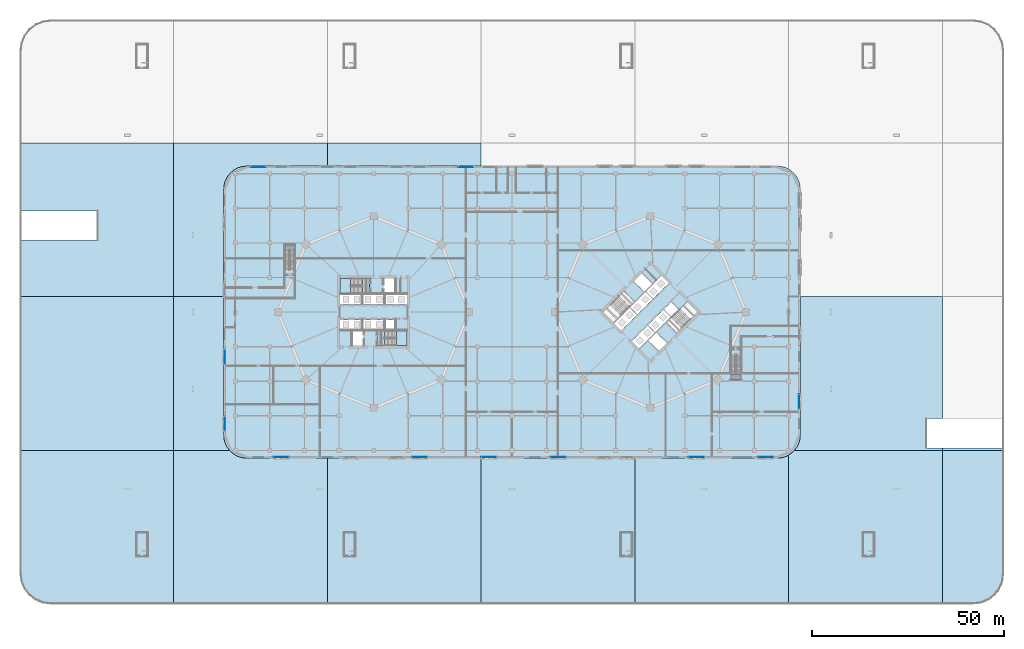
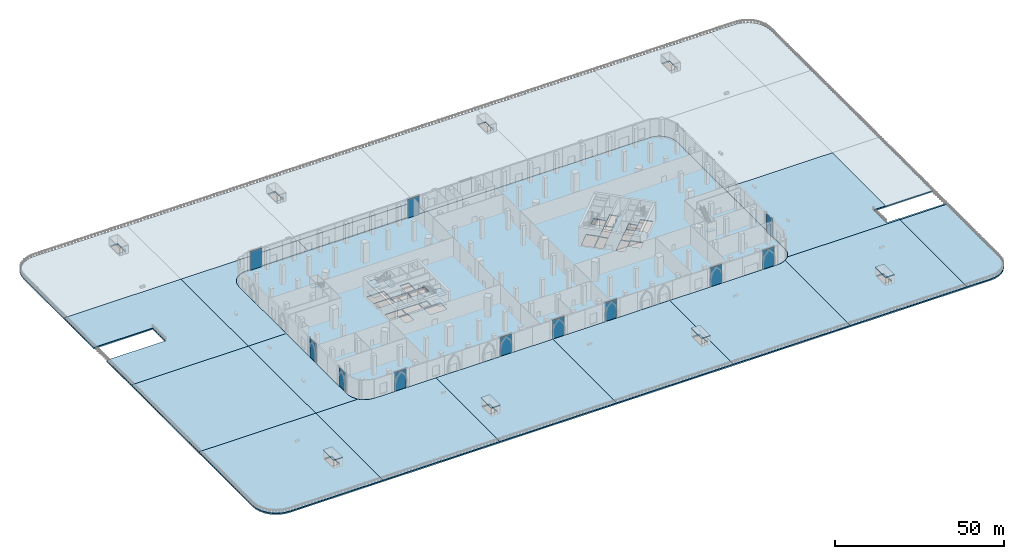
# One storey, part 20 of 48: 27 slabs, 11 plates, 15 elements without a shape of their own.
"""IFC4 building model written with IfcOpenShell, lengths in metres."""

from ifc_helpers import new_model, si_unit, direction, frame, origin, origin_2d, place, context, subcontext, project, spatial, polyline, rectangle, outline, extrude, material, layer, layer_set, type_object, element, aggregate, save


model = new_model("IFC4")

# Units and contexts
model_context = context("Model", 3, precision=1e-05, world=origin(), true_north=direction((0.0, 1.0)))
body_context = subcontext(model_context, "Body", "Model", "MODEL_VIEW")
ifc_project = project(units=[si_unit("LENGTHUNIT", "METRE"), si_unit("AREAUNIT", "SQUARE_METRE"), si_unit("VOLUMEUNIT", "CUBIC_METRE"), si_unit("PLANEANGLEUNIT", "RADIAN"), si_unit("MASSUNIT", "GRAM", prefix="KILO")], contexts=[model_context])

# Site, building, storey
site_placement = place(None, origin())
site = spatial("IfcSite", under=ifc_project, at=site_placement, CompositionType="ELEMENT")
building_placement = place(site_placement, origin())
building = spatial("IfcBuilding", under=site, at=building_placement, Name="Ogive Gate Towers", CompositionType="ELEMENT")
storey_placement = place(building_placement, origin())
storey = spatial("IfcBuildingStorey", under=building, at=storey_placement, Name="L00", CompositionType="ELEMENT", Elevation=0.0)

# Slabs
ifc_material_1 = material(Name="Concrete C35/45", Category="concrete")
ifc_layer_1 = layer(ifc_material_1, 0.300048828125)
ifc_layer_set_1 = layer_set([ifc_layer_1], Name="Floor slab 300")
slab_type_1 = type_object("IfcSlabType", Name="Floor slab 300", PredefinedType="FLOOR", material=ifc_layer_set_1)
slab_1_placement = place(storey_placement, frame((0.0, 0.0, -0.300048828125)))
element("IfcSlab", 1, at=slab_1_placement, inside=storey, type_object=slab_type_1, Name="PD/L00/SSL001", PredefinedType="FLOOR", context=body_context, shape_type="SweptSolid", body=[
    extrude(outline(polyline([(74.543212890625, -34.296142578125), (74.884765625, -33.170654296875), (75.0, -32.0), (75.0, 32.0), (74.884765625, 33.170654296875), (74.543212890625, 34.296142578125), (73.98876953125, 35.33349609375), (73.24267578125, 36.24267578125), (72.33349609375, 36.98876953125), (71.296142578125, 37.543212890625), (70.170654296875, 37.884765625), (69.0, 38.0), (-69.0, 38.0), (-70.170654296875, 37.884765625), (-71.296142578125, 37.543212890625), (-72.33349609375, 36.98876953125), (-73.24267578125, 36.24267578125), (-73.98876953125, 35.33349609375), (-74.543212890625, 34.296142578125), (-74.884765625, 33.170654296875), (-75.0, 32.0), (-75.0, -32.0), (-74.884765625, -33.170654296875), (-74.543212890625, -34.296142578125), (-73.98876953125, -35.33349609375), (-73.24267578125, -36.24267578125), (-72.33349609375, -36.98876953125), (-71.296142578125, -37.543212890625), (-70.170654296875, -37.884765625), (-69.0, -38.0), (69.0, -38.0), (70.170654296875, -37.884765625), (71.296142578125, -37.543212890625), (72.33349609375, -36.98876953125), (73.24267578125, -36.24267578125), (73.98876953125, -35.33349609375), (74.543212890625, -34.296142578125)]), holes=[polyline([(-39.02490234375, 2.0), (-44.699951171875, 2.0), (-44.699951171875, 4.625), (-39.02490234375, 4.625), (-39.02490234375, 2.0)]), polyline([(-38.77490234375, 4.625), (-33.22509765625, 4.625), (-33.22509765625, 2.0), (-38.77490234375, 2.0), (-38.77490234375, 4.625)]), polyline([(-27.300048828125, 2.0), (-32.97509765625, 2.0), (-32.97509765625, 4.625), (-27.300048828125, 4.625), (-27.300048828125, 2.0)]), polyline([(-44.699951171875, -2.0), (-39.02490234375, -2.0), (-39.02490234375, -4.625), (-44.699951171875, -4.625), (-44.699951171875, -2.0)]), polyline([(-33.22509765625, -4.625), (-38.77490234375, -4.625), (-38.77490234375, -2.0), (-33.22509765625, -2.0), (-33.22509765625, -4.625)]), polyline([(-32.97509765625, -2.0), (-30.324951171875, -2.0), (-30.324951171875, -4.625), (-32.97509765625, -4.625), (-32.97509765625, -2.0)]), polyline([(-30.425048828125, 4.875), (-33.375, 4.875), (-33.375, 8.699951171875), (-30.425048828125, 8.699951171875), (-30.425048828125, 4.875)]), polyline([(-41.574951171875, -4.875), (-38.625, -4.875), (-38.625, -8.699951171875), (-41.574951171875, -8.699951171875), (-41.574951171875, -4.875)]), polyline([(-44.699951171875, 8.699951171875), (-38.885009765625, 8.699951171875), (-38.885009765625, 4.875), (-44.699951171875, 4.875), (-44.699951171875, 8.699951171875)]), polyline([(-33.114990234375, -4.875), (-27.300048828125, -4.875), (-27.300048828125, -8.699951171875), (-33.114990234375, -8.699951171875), (-33.114990234375, -4.875)]), polyline([(26.577880859375, -2.88134765625), (30.590576171875, 1.13134765625), (32.44677734375, -0.724853515625), (28.433837890625, -4.737548828125), (26.577880859375, -2.88134765625)]), polyline([(36.548095703125, 3.37646484375), (32.62353515625, -0.548095703125), (30.767333984375, 1.30810546875), (34.69189453125, 5.232666015625), (36.548095703125, 3.37646484375)]), polyline([(34.86865234375, 5.409423828125), (38.88134765625, 9.422119140625), (40.737548828125, 7.566162109375), (36.724853515625, 3.55322265625), (34.86865234375, 5.409423828125)]), polyline([(37.13134765625, -5.409423828125), (33.11865234375, -9.422119140625), (31.262451171875, -7.566162109375), (35.275146484375, -3.55322265625), (37.13134765625, -5.409423828125)]), polyline([(35.451904296875, -3.37646484375), (39.37646484375, 0.548095703125), (41.232666015625, -1.30810546875), (37.30810546875, -5.232666015625), (35.451904296875, -3.37646484375)]), polyline([(43.283203125, 0.742431640625), (41.409423828125, -1.13134765625), (39.55322265625, 0.724853515625), (41.427001953125, 2.5986328125), (43.283203125, 0.742431640625)]), polyline([(31.704345703125, 8.008056640625), (33.790283203125, 10.093994140625), (36.494873046875, 7.38916015625), (34.408935546875, 5.30322265625), (31.704345703125, 8.008056640625)]), polyline([(40.295654296875, -8.008056640625), (38.209716796875, -10.093994140625), (35.505126953125, -7.38916015625), (37.591064453125, -5.30322265625), (40.295654296875, -8.008056640625)]), polyline([(30.512939453125, 1.4072265625), (26.401123046875, -2.70458984375), (23.6962890625, 0.0), (27.80810546875, 4.11181640625), (30.512939453125, 1.4072265625)]), polyline([(48.3037109375, 0.0), (44.19189453125, -4.11181640625), (41.487060546875, -1.4072265625), (45.598876953125, 2.70458984375), (48.3037109375, 0.0)])]), origin(), (0.0, 0.0, 1.0), 0.300048828125),
])
ifc_layer_2 = layer(ifc_material_1, 0.449951171875)
ifc_layer_set_2 = layer_set([ifc_layer_2], Name="Garden deck slab 450")
slab_type_2 = type_object("IfcSlabType", Name="Garden deck slab 450", PredefinedType="FLOOR", material=ifc_layer_set_2)
slab_2_placement = place(storey_placement, frame((0.0, 0.0, -0.449951171875)))
element("IfcSlab", 2, at=slab_2_placement, inside=storey, type_object=slab_type_2, Name="BS/L00/SSL001", PredefinedType="FLOOR", context=body_context, shape_type="SweptSolid", body=[
    extrude(outline(polyline([(-107.875, 18.699951171875), (-128.0, 18.699951171875), (-128.0, -68.0), (-127.84619140625, -69.560791015625), (-127.39111328125, -71.0615234375), (-126.65185546875, -72.444580078125), (-125.65673828125, -73.65673828125), (-124.444580078125, -74.65185546875), (-123.0615234375, -75.39111328125), (-121.560791015625, -75.84619140625), (-120.0, -76.0), (120.0, -76.0), (121.560791015625, -75.84619140625), (123.0615234375, -75.39111328125), (124.444580078125, -74.65185546875), (125.65673828125, -73.65673828125), (126.65185546875, -72.444580078125), (127.39111328125, -71.0615234375), (127.84619140625, -69.560791015625), (128.0, -68.0), (128.0, -35.300048828125), (107.875, -35.300048828125), (107.875, -27.699951171875), (128.0, -27.699951171875), (128.0, 68.0), (127.84619140625, 69.560791015625), (127.39111328125, 71.0615234375), (126.65185546875, 72.444580078125), (125.65673828125, 73.65673828125), (124.444580078125, 74.65185546875), (123.0615234375, 75.39111328125), (121.560791015625, 75.84619140625), (120.0, 76.0), (-120.0, 76.0), (-121.560791015625, 75.84619140625), (-123.0615234375, 75.39111328125), (-124.444580078125, 74.65185546875), (-125.65673828125, 73.65673828125), (-126.65185546875, 72.444580078125), (-127.39111328125, 71.0615234375), (-127.84619140625, 69.560791015625), (-128.0, 68.0), (-128.0, 26.300048828125), (-107.875, 26.300048828125), (-107.875, 18.699951171875)]), holes=[polyline([(74.543212890625, 34.296142578125), (74.884765625, 33.170654296875), (75.0, 32.0), (75.0, -32.0), (74.884765625, -33.170654296875), (74.543212890625, -34.296142578125), (73.98876953125, -35.33349609375), (73.24267578125, -36.24267578125), (72.33349609375, -36.98876953125), (71.296142578125, -37.543212890625), (70.170654296875, -37.884765625), (69.0, -38.0), (-69.0, -38.0), (-70.170654296875, -37.884765625), (-71.296142578125, -37.543212890625), (-72.33349609375, -36.98876953125), (-73.24267578125, -36.24267578125), (-73.98876953125, -35.33349609375), (-74.543212890625, -34.296142578125), (-74.884765625, -33.170654296875), (-75.0, -32.0), (-75.0, 32.0), (-74.884765625, 33.170654296875), (-74.543212890625, 34.296142578125), (-73.98876953125, 35.33349609375), (-73.24267578125, 36.24267578125), (-72.33349609375, 36.98876953125), (-71.296142578125, 37.543212890625), (-70.170654296875, 37.884765625), (-69.0, 38.0), (69.0, 38.0), (70.170654296875, 37.884765625), (71.296142578125, 37.543212890625), (72.33349609375, 36.98876953125), (73.24267578125, 36.24267578125), (73.98876953125, 35.33349609375), (74.543212890625, 34.296142578125)]), polyline([(-94.949951171875, 64.89990234375), (-97.5, 64.89990234375), (-97.5, 69.4599609375), (-94.949951171875, 69.4599609375), (-94.949951171875, 64.89990234375)]), polyline([(-43.5, 64.89990234375), (-43.5, 69.4599609375), (-40.949951171875, 69.4599609375), (-40.949951171875, 64.89990234375), (-43.5, 64.89990234375)]), polyline([(28.5, 69.4599609375), (31.050048828125, 69.4599609375), (31.050048828125, 64.89990234375), (28.5, 64.89990234375), (28.5, 69.4599609375)]), polyline([(94.050048828125, 69.4599609375), (94.050048828125, 64.89990234375), (91.5, 64.89990234375), (91.5, 69.4599609375), (94.050048828125, 69.4599609375)]), polyline([(-94.949951171875, -62.10009765625), (-97.5, -62.10009765625), (-97.5, -57.5400390625), (-94.949951171875, -57.5400390625), (-94.949951171875, -62.10009765625)]), polyline([(-43.5, -62.10009765625), (-43.5, -57.5400390625), (-40.949951171875, -57.5400390625), (-40.949951171875, -62.10009765625), (-43.5, -62.10009765625)]), polyline([(28.5, -57.5400390625), (31.050048828125, -57.5400390625), (31.050048828125, -62.10009765625), (28.5, -62.10009765625), (28.5, -57.5400390625)]), polyline([(94.050048828125, -57.5400390625), (94.050048828125, -62.10009765625), (91.5, -62.10009765625), (91.5, -57.5400390625), (94.050048828125, -57.5400390625)])]), origin(), (0.0, 0.0, 1.0), 0.449951171875),
])
ifc_material_2 = material(Name="Grey granite paving", Category="masonry")
ifc_layer_3 = layer(ifc_material_2, 0.14990234375)
ifc_layer_set_3 = layer_set([ifc_layer_3], Name="Garden paving")
slab_type_3 = type_object("IfcSlabType", Name="Garden paving", PredefinedType="USERDEFINED", material=ifc_layer_set_3)
slab_3_placement = place(storey_placement, origin())
element("IfcSlab", 3, at=slab_3_placement, inside=storey, type_object=slab_type_3, Name="Garden paving", ObjectType="PAVING", PredefinedType="USERDEFINED", context=body_context, shape_type="SweptSolid", body=[
    extrude(outline(polyline([(-120.0, -76.0), (-121.560791015625, -75.84619140625), (-123.0615234375, -75.39111328125), (-124.444580078125, -74.65185546875), (-125.656982421875, -73.656982421875), (-126.65185546875, -72.444580078125), (-127.39111328125, -71.0615234375), (-127.84619140625, -69.560791015625), (-128.0, -68.0), (-128.0, -36.0), (-88.0, -36.0), (-88.0, -76.0), (-120.0, -76.0)]), holes=[polyline([(-94.949951171875, -57.5400390625), (-97.5, -57.5400390625), (-97.5, -62.10009765625), (-94.949951171875, -62.10009765625), (-94.949951171875, -57.5400390625)])]), origin(), (0.0, 0.0, 1.0), 0.1201171875),
])
slab_4_placement = place(storey_placement, origin())
element("IfcSlab", 4, at=slab_4_placement, inside=storey, type_object=slab_type_3, Name="Garden paving", ObjectType="PAVING", PredefinedType="USERDEFINED", context=body_context, shape_type="SweptSolid", body=[
    extrude(outline(polyline([(-128.0, 4.0), (-88.0, 4.0), (-88.0, -36.0), (-128.0, -36.0), (-128.0, 4.0)])), origin(), (0.0, 0.0, 1.0), 0.1201171875),
])
slab_5_placement = place(storey_placement, origin())
element("IfcSlab", 5, at=slab_5_placement, inside=storey, type_object=slab_type_3, Name="Garden paving", ObjectType="PAVING", PredefinedType="USERDEFINED", context=body_context, shape_type="SweptSolid", body=[
    extrude(outline(polyline([(-107.875, 26.300048828125), (-128.0, 26.300048828125), (-128.0, 44.0), (-88.0, 44.0), (-88.0, 4.0), (-128.0, 4.0), (-128.0, 18.699951171875), (-107.875, 18.699951171875), (-107.875, 26.300048828125)])), origin(), (0.0, 0.0, 1.0), 0.1201171875),
])
slab_6_placement = place(storey_placement, origin())
element("IfcSlab", 6, at=slab_6_placement, inside=storey, type_object=slab_type_3, Name="Garden paving", ObjectType="PAVING", PredefinedType="USERDEFINED", context=body_context, shape_type="SweptSolid", body=[
    extrude(outline(polyline([(-88.0, -76.0), (-88.0, -36.0), (-73.44189453125, -36.0), (-73.24267578125, -36.24267578125), (-72.33349609375, -36.98876953125), (-71.296142578125, -37.543212890625), (-70.17041015625, -37.884765625), (-69.0, -38.0), (-48.0, -38.0), (-48.0, -76.0), (-88.0, -76.0)])), origin(), (0.0, 0.0, 1.0), 0.1201171875),
])
slab_7_placement = place(storey_placement, origin())
element("IfcSlab", 7, at=slab_7_placement, inside=storey, type_object=slab_type_3, Name="Garden paving", ObjectType="PAVING", PredefinedType="USERDEFINED", context=body_context, shape_type="SweptSolid", body=[
    extrude(outline(polyline([(-75.0, -32.0), (-74.884765625, -33.17041015625), (-74.543212890625, -34.296142578125), (-73.98876953125, -35.33349609375), (-73.44189453125, -36.0), (-88.0, -36.0), (-88.0, 4.0), (-75.0, 4.0), (-75.0, -32.0)])), origin(), (0.0, 0.0, 1.0), 0.1201171875),
])
slab_8_placement = place(storey_placement, origin())
element("IfcSlab", 8, at=slab_8_placement, inside=storey, type_object=slab_type_3, Name="Garden paving", ObjectType="PAVING", PredefinedType="USERDEFINED", context=body_context, shape_type="SweptSolid", body=[
    extrude(outline(polyline([(-69.0, 38.0), (-70.17041015625, 37.884765625), (-71.296142578125, 37.543212890625), (-72.33349609375, 36.98876953125), (-73.24267578125, 36.24267578125), (-73.98876953125, 35.33349609375), (-74.543212890625, 34.296142578125), (-74.884765625, 33.17041015625), (-75.0, 32.0), (-75.0, 4.0), (-88.0, 4.0), (-88.0, 44.0), (-48.0, 44.0), (-48.0, 38.0), (-69.0, 38.0)])), origin(), (0.0, 0.0, 1.0), 0.1201171875),
])
slab_9_placement = place(storey_placement, origin())
element("IfcSlab", 9, at=slab_9_placement, inside=storey, type_object=slab_type_3, Name="Garden paving", ObjectType="PAVING", PredefinedType="USERDEFINED", context=body_context, shape_type="SweptSolid", body=[
    extrude(outline(polyline([(-48.0, -76.0), (-48.0, -38.0), (-8.0, -38.0), (-8.0, -76.0), (-48.0, -76.0)]), holes=[polyline([(-40.949951171875, -62.10009765625), (-40.949951171875, -57.5400390625), (-43.5, -57.5400390625), (-43.5, -62.10009765625), (-40.949951171875, -62.10009765625)])]), origin(), (0.0, 0.0, 1.0), 0.1201171875),
])
slab_10_placement = place(storey_placement, origin())
element("IfcSlab", 10, at=slab_10_placement, inside=storey, type_object=slab_type_3, Name="Garden paving", ObjectType="PAVING", PredefinedType="USERDEFINED", context=body_context, shape_type="SweptSolid", body=[
    extrude(outline(polyline([(-48.0, 38.0), (-48.0, 44.0), (-8.0, 44.0), (-8.0, 38.0), (-48.0, 38.0)])), origin(), (0.0, 0.0, 1.0), 0.1201171875),
])
slab_11_placement = place(storey_placement, origin())
element("IfcSlab", 11, at=slab_11_placement, inside=storey, type_object=slab_type_3, Name="Garden paving", ObjectType="PAVING", PredefinedType="USERDEFINED", context=body_context, shape_type="SweptSolid", body=[
    extrude(outline(polyline([(-8.0, -76.0), (-8.0, -38.0), (32.0, -38.0), (32.0, -76.0), (-8.0, -76.0)]), holes=[polyline([(28.5, -62.10009765625), (31.050048828125, -62.10009765625), (31.050048828125, -57.5400390625), (28.5, -57.5400390625), (28.5, -62.10009765625)])]), origin(), (0.0, 0.0, 1.0), 0.1201171875),
])
slab_12_placement = place(storey_placement, origin())
element("IfcSlab", 12, at=slab_12_placement, inside=storey, type_object=slab_type_3, Name="Garden paving", ObjectType="PAVING", PredefinedType="USERDEFINED", context=body_context, shape_type="SweptSolid", body=[
    extrude(outline(polyline([(32.0, -76.0), (32.0, -38.0), (69.0, -38.0), (70.17041015625, -37.884765625), (71.296142578125, -37.543212890625), (72.0, -37.1669921875), (72.0, -76.0), (32.0, -76.0)])), origin(), (0.0, 0.0, 1.0), 0.1201171875),
])
slab_13_placement = place(storey_placement, origin())
element("IfcSlab", 13, at=slab_13_placement, inside=storey, type_object=slab_type_3, Name="Garden paving", ObjectType="PAVING", PredefinedType="USERDEFINED", context=body_context, shape_type="SweptSolid", body=[
    extrude(outline(polyline([(72.0, -76.0), (72.0, -37.1669921875), (72.33349609375, -36.98876953125), (73.24267578125, -36.24267578125), (73.44189453125, -36.0), (112.0, -36.0), (112.0, -76.0), (72.0, -76.0)]), holes=[polyline([(91.5, -57.5400390625), (91.5, -62.10009765625), (94.050048828125, -62.10009765625), (94.050048828125, -57.5400390625), (91.5, -57.5400390625)])]), origin(), (0.0, 0.0, 1.0), 0.1201171875),
])
slab_14_placement = place(storey_placement, origin())
element("IfcSlab", 14, at=slab_14_placement, inside=storey, type_object=slab_type_3, Name="Garden paving", ObjectType="PAVING", PredefinedType="USERDEFINED", context=body_context, shape_type="SweptSolid", body=[
    extrude(outline(polyline([(107.875, -27.699951171875), (107.875, -35.300048828125), (112.0, -35.300048828125), (112.0, -36.0), (73.44189453125, -36.0), (73.98876953125, -35.33349609375), (74.543212890625, -34.296142578125), (74.884765625, -33.17041015625), (75.0, -32.0), (75.0, 4.0), (112.0, 4.0), (112.0, -27.699951171875), (107.875, -27.699951171875)])), origin(), (0.0, 0.0, 1.0), 0.1201171875),
])
slab_15_placement = place(storey_placement, origin())
element("IfcSlab", 15, at=slab_15_placement, inside=storey, type_object=slab_type_3, Name="Garden paving", ObjectType="PAVING", PredefinedType="USERDEFINED", context=body_context, shape_type="SweptSolid", body=[
    extrude(outline(polyline([(128.0, -68.0), (127.84619140625, -69.560791015625), (127.39111328125, -71.0615234375), (126.65185546875, -72.444580078125), (125.656982421875, -73.656982421875), (124.444580078125, -74.65185546875), (123.0615234375, -75.39111328125), (121.560791015625, -75.84619140625), (120.0, -76.0), (112.0, -76.0), (112.0, -36.0), (128.0, -36.0), (128.0, -68.0)])), origin(), (0.0, 0.0, 1.0), 0.1201171875),
])

# Curtain wall, plate
ifc_material_3 = material(Name="Pale metal aluminium", Category="aluminium")
curtain_wall_type = type_object("IfcCurtainWallType", Name="Podium glazing", PredefinedType="NOTDEFINED", material=ifc_material_3)
curtain_wall_1_placement = place(storey_placement, origin())
curtain_wall_1 = element("IfcCurtainWall", 16, at=curtain_wall_1_placement, inside=storey, type_object=curtain_wall_type, Name="CW6 PD ECW01", PredefinedType="NOTDEFINED")
ifc_material_4 = material(Name="Clear glass", Category="glass")
ifc_layer_4 = layer(ifc_material_4, 0.028076171875)
ifc_layer_set_4 = layer_set([ifc_layer_4], Name="Podium glazing glass panel")
plate_type = type_object("IfcPlateType", Name="Podium glazing glass panel", PredefinedType="CURTAIN_PANEL", material=ifc_layer_set_4)
plate_1_placement = place(storey_placement, frame((74.75, -23.272705078125, -0.300048828125), z_axis=(0.0, 0.0, 1.0), x_axis=(0.0, 1.0, 0.0)))
plate_1 = element("IfcPlate", 17, at=plate_1_placement, type_object=plate_type, Name="CW6 glass panel", PredefinedType="CURTAIN_PANEL", context=body_context, shape_type="SweptSolid", body=[
    extrude(rectangle(XDim=3.744140625, YDim=0.028076171875, at=origin_2d()), origin(), (0.0, 0.0, 1.0), 7.06396484375),
])
aggregate(curtain_wall_1, [plate_1])

curtain_wall_2_placement = place(storey_placement, origin())
curtain_wall_2 = element("IfcCurtainWall", 18, at=curtain_wall_2_placement, inside=storey, type_object=curtain_wall_type, Name="CW6 PD ECW05", PredefinedType="NOTDEFINED")
plate_2_placement = place(storey_placement, frame((-12.0, 37.75, -0.300048828125), z_axis=(0.0, 0.0, 1.0), x_axis=(-1.0, 0.0, 0.0)))
plate_2 = element("IfcPlate", 19, at=plate_2_placement, type_object=plate_type, Name="CW6 glass panel", PredefinedType="CURTAIN_PANEL", context=body_context, shape_type="SweptSolid", body=[
    extrude(rectangle(XDim=3.926025390625, YDim=0.028076171875, at=origin_2d()), origin(), (0.0, 0.0, 1.0), 7.06396484375),
])
aggregate(curtain_wall_2, [plate_2])

curtain_wall_3_placement = place(storey_placement, origin())
curtain_wall_3 = element("IfcCurtainWall", 20, at=curtain_wall_3_placement, inside=storey, type_object=curtain_wall_type, Name="CW6 PD ECW06", PredefinedType="NOTDEFINED")
plate_3_placement = place(storey_placement, frame((-65.97509765625, 37.75, -0.300048828125), z_axis=(0.0, 0.0, 1.0), x_axis=(-1.0, 0.0, 0.0)))
plate_3 = element("IfcPlate", 21, at=plate_3_placement, type_object=plate_type, Name="CW6 glass panel", PredefinedType="CURTAIN_PANEL", context=body_context, shape_type="SweptSolid", body=[
    extrude(rectangle(XDim=3.876220703125, YDim=0.028076171875, at=origin_2d()), origin(), (0.0, 0.0, 1.0), 7.06396484375),
])
aggregate(curtain_wall_3, [plate_3])

curtain_wall_4_placement = place(storey_placement, origin())
curtain_wall_4 = element("IfcCurtainWall", 22, at=curtain_wall_4_placement, inside=storey, type_object=curtain_wall_type, Name="CW6 PD ECW07", PredefinedType="NOTDEFINED")
plate_4_placement = place(storey_placement, frame((-74.75, -11.636474609375, -0.300048828125), z_axis=(0.0, 0.0, 1.0), x_axis=(0.0, -1.0, 0.0)))
plate_4 = element("IfcPlate", 23, at=plate_4_placement, type_object=plate_type, Name="CW6 glass panel", PredefinedType="CURTAIN_PANEL", context=body_context, shape_type="SweptSolid", body=[
    extrude(rectangle(XDim=3.744140625, YDim=0.028076171875, at=origin_2d()), origin(), (0.0, 0.0, 1.0), 7.06396484375),
])
aggregate(curtain_wall_4, [plate_4])

curtain_wall_5_placement = place(storey_placement, origin())
curtain_wall_5 = element("IfcCurtainWall", 24, at=curtain_wall_5_placement, inside=storey, type_object=curtain_wall_type, Name="CW6 PD ECW08", PredefinedType="NOTDEFINED")
plate_5_placement = place(storey_placement, frame((-74.75, -29.06591796875, -0.300048828125), z_axis=(0.0, 0.0, 1.0), x_axis=(0.0, -1.0, 0.0)))
plate_5 = element("IfcPlate", 25, at=plate_5_placement, type_object=plate_type, Name="CW6 glass panel", PredefinedType="CURTAIN_PANEL", context=body_context, shape_type="SweptSolid", body=[
    extrude(rectangle(XDim=3.694580078125, YDim=0.028076171875, at=origin_2d()), origin(), (0.0, 0.0, 1.0), 7.06396484375),
])
aggregate(curtain_wall_5, [plate_5])

curtain_wall_6_placement = place(storey_placement, origin())
curtain_wall_6 = element("IfcCurtainWall", 26, at=curtain_wall_6_placement, inside=storey, type_object=curtain_wall_type, Name="CW6 PD ECW09", PredefinedType="NOTDEFINED")
plate_6_placement = place(storey_placement, frame((-60.0, -37.75, -0.300048828125), z_axis=(0.0, 0.0, 1.0), x_axis=(1.0, 0.0, 0.0)))
plate_6 = element("IfcPlate", 27, at=plate_6_placement, type_object=plate_type, Name="CW6 glass panel", PredefinedType="CURTAIN_PANEL", context=body_context, shape_type="SweptSolid", body=[
    extrude(rectangle(XDim=3.926025390625, YDim=0.028076171875, at=origin_2d()), origin(), (0.0, 0.0, 1.0), 7.06396484375),
])
aggregate(curtain_wall_6, [plate_6])

curtain_wall_7_placement = place(storey_placement, origin())
curtain_wall_7 = element("IfcCurtainWall", 28, at=curtain_wall_7_placement, inside=storey, type_object=curtain_wall_type, Name="CW6 PD ECW10", PredefinedType="NOTDEFINED")
plate_7_placement = place(storey_placement, frame((-24.0, -37.75, -0.300048828125), z_axis=(0.0, 0.0, 1.0), x_axis=(1.0, 0.0, 0.0)))
plate_7 = element("IfcPlate", 29, at=plate_7_placement, type_object=plate_type, Name="CW6 glass panel", PredefinedType="CURTAIN_PANEL", context=body_context, shape_type="SweptSolid", body=[
    extrude(rectangle(XDim=3.926025390625, YDim=0.028076171875, at=origin_2d()), origin(), (0.0, 0.0, 1.0), 7.06396484375),
])
aggregate(curtain_wall_7, [plate_7])

curtain_wall_8_placement = place(storey_placement, origin())
curtain_wall_8 = element("IfcCurtainWall", 30, at=curtain_wall_8_placement, inside=storey, type_object=curtain_wall_type, Name="CW6 PD ECW11", PredefinedType="NOTDEFINED")
plate_8_placement = place(storey_placement, frame((-6.0, -37.75, -0.300048828125), z_axis=(0.0, 0.0, 1.0), x_axis=(1.0, 0.0, 0.0)))
plate_8 = element("IfcPlate", 31, at=plate_8_placement, type_object=plate_type, Name="CW6 glass panel", PredefinedType="CURTAIN_PANEL", context=body_context, shape_type="SweptSolid", body=[
    extrude(rectangle(XDim=3.926025390625, YDim=0.028076171875, at=origin_2d()), origin(), (0.0, 0.0, 1.0), 7.06396484375),
])
aggregate(curtain_wall_8, [plate_8])

curtain_wall_9_placement = place(storey_placement, origin())
curtain_wall_9 = element("IfcCurtainWall", 32, at=curtain_wall_9_placement, inside=storey, type_object=curtain_wall_type, Name="CW6 PD ECW12", PredefinedType="NOTDEFINED")
plate_9_placement = place(storey_placement, frame((12.0, -37.75, -0.300048828125), z_axis=(0.0, 0.0, 1.0), x_axis=(1.0, 0.0, 0.0)))
plate_9 = element("IfcPlate", 33, at=plate_9_placement, type_object=plate_type, Name="CW6 glass panel", PredefinedType="CURTAIN_PANEL", context=body_context, shape_type="SweptSolid", body=[
    extrude(rectangle(XDim=3.926025390625, YDim=0.028076171875, at=origin_2d()), origin(), (0.0, 0.0, 1.0), 7.06396484375),
])
aggregate(curtain_wall_9, [plate_9])

curtain_wall_10_placement = place(storey_placement, origin())
curtain_wall_10 = element("IfcCurtainWall", 34, at=curtain_wall_10_placement, inside=storey, type_object=curtain_wall_type, Name="CW6 PD ECW13", PredefinedType="NOTDEFINED")
plate_10_placement = place(storey_placement, frame((48.0, -37.75, -0.300048828125), z_axis=(0.0, 0.0, 1.0), x_axis=(1.0, 0.0, 0.0)))
plate_10 = element("IfcPlate", 35, at=plate_10_placement, type_object=plate_type, Name="CW6 glass panel", PredefinedType="CURTAIN_PANEL", context=body_context, shape_type="SweptSolid", body=[
    extrude(rectangle(XDim=3.926025390625, YDim=0.028076171875, at=origin_2d()), origin(), (0.0, 0.0, 1.0), 7.06396484375),
])
aggregate(curtain_wall_10, [plate_10])

curtain_wall_11_placement = place(storey_placement, origin())
curtain_wall_11 = element("IfcCurtainWall", 36, at=curtain_wall_11_placement, inside=storey, type_object=curtain_wall_type, Name="CW6 PD ECW14", PredefinedType="NOTDEFINED")
plate_11_placement = place(storey_placement, frame((65.97509765625, -37.75, -0.300048828125), z_axis=(0.0, 0.0, 1.0), x_axis=(1.0, 0.0, 0.0)))
plate_11 = element("IfcPlate", 37, at=plate_11_placement, type_object=plate_type, Name="CW6 glass panel", PredefinedType="CURTAIN_PANEL", context=body_context, shape_type="SweptSolid", body=[
    extrude(rectangle(XDim=3.876220703125, YDim=0.028076171875, at=origin_2d()), origin(), (0.0, 0.0, 1.0), 7.06396484375),
])
aggregate(curtain_wall_11, [plate_11])

# Slabs
ifc_material_5 = material(Name="Concrete C32/40", Category="concrete")
ifc_layer_5 = layer(ifc_material_5, 0.25)
ifc_layer_set_5 = layer_set([ifc_layer_5], Name="Stair house roof 250")
slab_type_4 = type_object("IfcSlabType", Name="Stair house roof 250", PredefinedType="ROOF", material=ifc_layer_set_5)
slab_16_placement = place(storey_placement, frame((0.0, 0.0, 3.0)))
element("IfcSlab", 38, at=slab_16_placement, inside=storey, type_object=slab_type_4, Name="CS5 stair house roof", PredefinedType="ROOF", context=body_context, shape_type="SweptSolid", body=[
    extrude(outline(polyline([(-94.64990234375, -63.60009765625), (-97.800048828125, -63.60009765625), (-97.800048828125, -57.239990234375), (-94.64990234375, -57.239990234375), (-94.64990234375, -63.60009765625)])), origin(), (0.0, 0.0, 1.0), 0.25),
])
slab_17_placement = place(storey_placement, frame((0.0, 0.0, 3.0)))
element("IfcSlab", 39, at=slab_17_placement, inside=storey, type_object=slab_type_4, Name="CS6 stair house roof", PredefinedType="ROOF", context=body_context, shape_type="SweptSolid", body=[
    extrude(outline(polyline([(-40.64990234375, -63.60009765625), (-43.800048828125, -63.60009765625), (-43.800048828125, -57.239990234375), (-40.64990234375, -57.239990234375), (-40.64990234375, -63.60009765625)])), origin(), (0.0, 0.0, 1.0), 0.25),
])
slab_18_placement = place(storey_placement, frame((0.0, 0.0, 3.0)))
element("IfcSlab", 40, at=slab_18_placement, inside=storey, type_object=slab_type_4, Name="CS7 stair house roof", PredefinedType="ROOF", context=body_context, shape_type="SweptSolid", body=[
    extrude(outline(polyline([(31.35009765625, -63.60009765625), (28.199951171875, -63.60009765625), (28.199951171875, -57.239990234375), (31.35009765625, -57.239990234375), (31.35009765625, -63.60009765625)])), origin(), (0.0, 0.0, 1.0), 0.25),
])
slab_19_placement = place(storey_placement, frame((0.0, 0.0, 3.0)))
element("IfcSlab", 41, at=slab_19_placement, inside=storey, type_object=slab_type_4, Name="CS8 stair house roof", PredefinedType="ROOF", context=body_context, shape_type="SweptSolid", body=[
    extrude(outline(polyline([(94.35009765625, -63.60009765625), (91.199951171875, -63.60009765625), (91.199951171875, -57.239990234375), (94.35009765625, -57.239990234375), (94.35009765625, -63.60009765625)])), origin(), (0.0, 0.0, 1.0), 0.25),
])

# Stair, slab
ifc_material_6 = material(Name="Reinforced concrete C32/40", Category="concrete")
stair_type_1 = type_object("IfcStairType", Name="Escape stair 180 x 280", PredefinedType="HALF_TURN_STAIR", material=ifc_material_6)
stair_1_placement = place(storey_placement, origin())
stair_1 = element("IfcStair", 42, at=stair_1_placement, inside=storey, type_object=stair_type_1, Name="L00 escape stair", PredefinedType="HALF_TURN_STAIR")
ifc_layer_6 = layer(ifc_material_6, 0.199951171875)
ifc_layer_set_6 = layer_set([ifc_layer_6], Name="Stair landing 200")
slab_type_5 = type_object("IfcSlabType", Name="Stair landing 200", PredefinedType="LANDING", material=ifc_layer_set_6)
slab_20_placement = place(storey_placement, frame((0.0, 0.0, 3.39990234375)))
slab_20 = element("IfcSlab", 43, at=slab_20_placement, type_object=slab_type_5, Name="PS1 landing 1", PredefinedType="LANDING", context=body_context, shape_type="SweptSolid", body=[
    extrude(outline(polyline([(-56.550048828125, 16.27001953125), (-56.550048828125, 17.469970703125), (-59.10009765625, 17.469970703125), (-59.10009765625, 16.27001953125), (-56.550048828125, 16.27001953125)])), origin(), (0.0, 0.0, 1.0), 0.2001953125),
])
aggregate(stair_1, [slab_20])

stair_2_placement = place(storey_placement, origin())
stair_2 = element("IfcStair", 44, at=stair_2_placement, inside=storey, type_object=stair_type_1, Name="L00 escape stair", PredefinedType="HALF_TURN_STAIR")
slab_21_placement = place(storey_placement, frame((0.0, 0.0, 3.39990234375)))
slab_21 = element("IfcSlab", 45, at=slab_21_placement, type_object=slab_type_5, Name="PS2 landing 1", PredefinedType="LANDING", context=body_context, shape_type="SweptSolid", body=[
    extrude(outline(polyline([(57.0, -16.27001953125), (57.0, -17.469970703125), (59.550048828125, -17.469970703125), (59.550048828125, -16.27001953125), (57.0, -16.27001953125)])), origin(), (0.0, 0.0, 1.0), 0.2001953125),
])
aggregate(stair_2, [slab_21])

# Stair, slabs
ifc_material_7 = material(Name="Concrete C40/50", Category="concrete")
stair_type_2 = type_object("IfcStairType", Name="Escape stair 1840 wide", PredefinedType="HALF_TURN_STAIR", material=ifc_material_7)
stair_3_placement = place(storey_placement, origin())
stair_3 = element("IfcStair", 46, at=stair_3_placement, inside=storey, type_object=stair_type_2, Name="L00 Escape stair 1", PredefinedType="HALF_TURN_STAIR")
ifc_layer_7 = layer(ifc_material_7, 0.199951171875)
ifc_layer_set_7 = layer_set([ifc_layer_7], Name="Stair landing 200 mm")
slab_type_6 = type_object("IfcSlabType", Name="Stair landing 200 mm", PredefinedType="LANDING", material=ifc_layer_set_7)
slab_22_placement = place(storey_placement, frame((0.0, 0.0, 1.60009765625)))
slab_22 = element("IfcSlab", 47, at=slab_22_placement, type_object=slab_type_6, Name="ST1 landing 1", PredefinedType="LANDING", context=body_context, shape_type="SweptSolid", body=[
    extrude(outline(polyline([(-41.969970703125, 8.699951171875), (-44.699951171875, 8.699951171875), (-44.699951171875, 4.875), (-41.969970703125, 4.875), (-41.969970703125, 8.699951171875)])), origin(), (0.0, 0.0, 1.0), 0.199951171875),
])
slab_23_placement = place(storey_placement, frame((0.0, 0.0, 3.39990234375)))
slab_23 = element("IfcSlab", 48, at=slab_23_placement, type_object=slab_type_6, Name="ST1 landing 2", PredefinedType="LANDING", context=body_context, shape_type="SweptSolid", body=[
    extrude(outline(polyline([(-37.02490234375, 8.699951171875), (-38.885009765625, 8.699951171875), (-38.885009765625, 4.875), (-37.02490234375, 4.875), (-37.02490234375, 8.699951171875)])), origin(), (0.0, 0.0, 1.0), 0.2001953125),
])
slab_24_placement = place(storey_placement, frame((0.0, 0.0, 5.199951171875)))
slab_24 = element("IfcSlab", 49, at=slab_24_placement, type_object=slab_type_6, Name="ST1 landing 3", PredefinedType="LANDING", context=body_context, shape_type="SweptSolid", body=[
    extrude(outline(polyline([(-41.969970703125, 8.699951171875), (-44.699951171875, 8.699951171875), (-44.699951171875, 4.875), (-41.969970703125, 4.875), (-41.969970703125, 8.699951171875)])), origin(), (0.0, 0.0, 1.0), 0.199951171875),
])
aggregate(stair_3, [slab_22, slab_23, slab_24])

stair_4_placement = place(storey_placement, origin())
stair_4 = element("IfcStair", 50, at=stair_4_placement, inside=storey, type_object=stair_type_2, Name="L00 Escape stair 2", PredefinedType="HALF_TURN_STAIR")
slab_25_placement = place(storey_placement, frame((0.0, 0.0, 1.60009765625)))
slab_25 = element("IfcSlab", 51, at=slab_25_placement, type_object=slab_type_6, Name="ST2 landing 1", PredefinedType="LANDING", context=body_context, shape_type="SweptSolid", body=[
    extrude(outline(polyline([(-30.030029296875, -8.699951171875), (-27.300048828125, -8.699951171875), (-27.300048828125, -4.875), (-30.030029296875, -4.875), (-30.030029296875, -8.699951171875)])), origin(), (0.0, 0.0, 1.0), 0.199951171875),
])
slab_26_placement = place(storey_placement, frame((0.0, 0.0, 3.39990234375)))
slab_26 = element("IfcSlab", 52, at=slab_26_placement, type_object=slab_type_6, Name="ST2 landing 2", PredefinedType="LANDING", context=body_context, shape_type="SweptSolid", body=[
    extrude(outline(polyline([(-34.97509765625, -8.699951171875), (-33.114990234375, -8.699951171875), (-33.114990234375, -4.875), (-34.97509765625, -4.875), (-34.97509765625, -8.699951171875)])), origin(), (0.0, 0.0, 1.0), 0.2001953125),
])
slab_27_placement = place(storey_placement, frame((0.0, 0.0, 5.199951171875)))
slab_27 = element("IfcSlab", 53, at=slab_27_placement, type_object=slab_type_6, Name="ST2 landing 3", PredefinedType="LANDING", context=body_context, shape_type="SweptSolid", body=[
    extrude(outline(polyline([(-30.030029296875, -8.699951171875), (-27.300048828125, -8.699951171875), (-27.300048828125, -4.875), (-30.030029296875, -4.875), (-30.030029296875, -8.699951171875)])), origin(), (0.0, 0.0, 1.0), 0.199951171875),
])
aggregate(stair_4, [slab_25, slab_26, slab_27])

save(model, "model.ifc")
